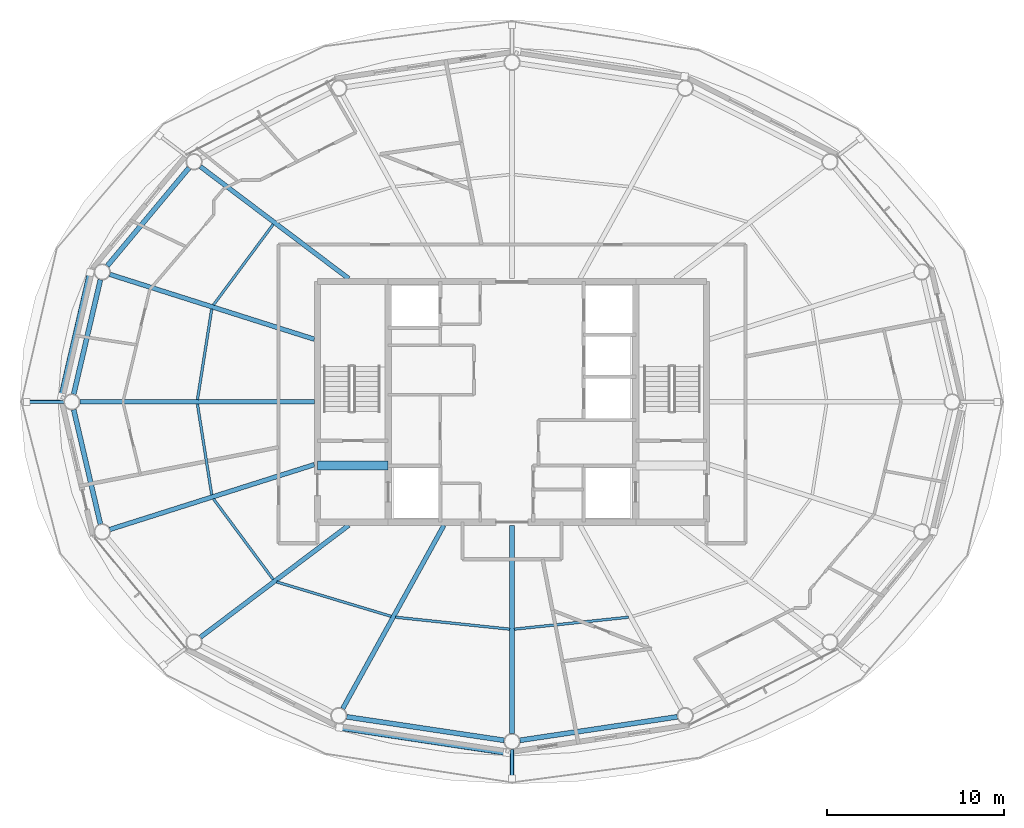
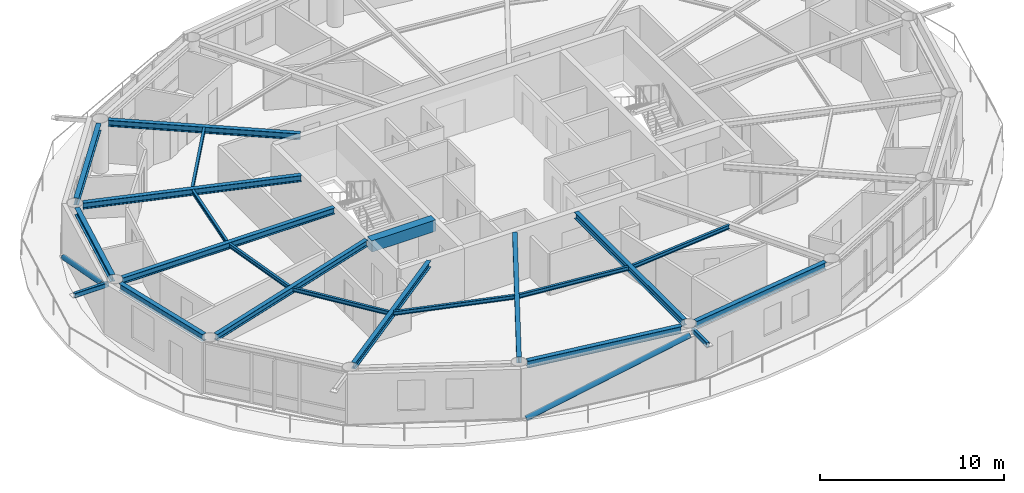
# One storey, part 4 of 21: 20 beams, 4 members.
"""IFC4 building model written with IfcOpenShell, lengths in metres."""

from ifc_helpers import new_model, si_unit, direction, frame, origin, origin_2d, place, context, subcontext, project, spatial, rectangle, hollow_rectangle, hollow_circle, i_section, extrude, material, material_profile, profile_set, type_object, element, save


model = new_model("IFC4")

# Units and contexts
model_context = context("Model", 3, precision=1e-05, world=origin(), true_north=direction((0.0, 1.0)))
body_context = subcontext(model_context, "Body", "Model", "MODEL_VIEW")
ifc_project = project(units=[si_unit("LENGTHUNIT", "METRE"), si_unit("AREAUNIT", "SQUARE_METRE"), si_unit("VOLUMEUNIT", "CUBIC_METRE"), si_unit("PLANEANGLEUNIT", "RADIAN"), si_unit("MASSUNIT", "GRAM", prefix="KILO")], contexts=[model_context])

# Site, building, storey
site_placement = place(None, origin())
site = spatial("IfcSite", under=ifc_project, at=site_placement, CompositionType="ELEMENT")
building_placement = place(site_placement, origin())
building = spatial("IfcBuilding", under=site, at=building_placement, Name="Sarneth Arch Tower", CompositionType="ELEMENT")
storey_placement = place(building_placement, frame((0.0, 0.0, 309.0)))
storey = spatial("IfcBuildingStorey", under=building, at=storey_placement, Name="L80", CompositionType="ELEMENT", Elevation=309.0)

# Beams
ifc_material_1 = material(Name="Steel S355", Category="steel")
ifc_material_profile_1 = material_profile(ifc_material_1, i_section(OverallWidth=0.14794921875, OverallDepth=0.26611328125, WebThickness=0.007568359375, FlangeThickness=0.012939453125, FilletRadius=0.012939453125, at=origin_2d()), Name="W250x44.8")
ifc_profile_set_1 = profile_set([ifc_material_profile_1], Name="Steel S355")
beam_type_1 = type_object("IfcBeamType", Name="BM-JOIST-250", PredefinedType="JOIST", material=ifc_profile_set_1)
beam_1_placement = place(storey_placement, frame((34.4970703125, 52.03564453125, 3.237060546875), z_axis=(-0.595712519616, -0.803197730309, 0.0), x_axis=(0.803197730309, -0.595712519616, 0.0)))
element("IfcBeam", 1, at=beam_1_placement, inside=storey, type_object=beam_type_1, Name="L80 Secondary floor joist 07", PredefinedType="JOIST", context=body_context, shape_type="SweptSolid", body=[
    extrude(i_section(OverallWidth=0.14794921875, OverallDepth=0.26611328125, WebThickness=0.007568359375, FlangeThickness=0.012939453125, FilletRadius=0.012939453125, at=origin_2d()), origin(), (0.0, 0.0, 1.0), 5.669189453125),
])
for number, where, z_axis, x_axis, name in (
    (2, (31.0224609375, 47.249267578125, 3.237060546875), (-0.155556266572, -0.987827033407, 0.0), (0.987827033407, -0.155556266572, 0.0), "L80 Secondary floor joist 08"),
    (3, (30.216064453125, 41.87158203125, 3.237060546875), (0.155556266572, -0.987827033407, 0.0), (0.987827033407, 0.155556266572, 0.0), "L80 Secondary floor joist 09"),
):
    element("IfcBeam", number, at=place(storey_placement, frame(where, z_axis=z_axis, x_axis=x_axis)), inside=storey, type_object=beam_type_1, Name=name, PredefinedType="JOIST", context=body_context, shape_type="SweptSolid", body=[
        extrude(i_section(OverallWidth=0.14794921875, OverallDepth=0.26611328125, WebThickness=0.007568359375, FlangeThickness=0.012939453125, FilletRadius=0.012939453125, at=origin_2d()), origin(), (0.0, 0.0, 1.0), 5.183837890625),
    ])
beam_2_placement = place(storey_placement, frame((31.119873046875, 36.517822265625, 3.237060546875), z_axis=(0.595712519616, -0.803197730309, 0.0), x_axis=(0.803197730309, 0.595712519616, 0.0)))
element("IfcBeam", 4, at=beam_2_placement, inside=storey, type_object=beam_type_1, Name="L80 Secondary floor joist 10", PredefinedType="JOIST", context=body_context, shape_type="SweptSolid", body=[
    extrude(i_section(OverallWidth=0.14794921875, OverallDepth=0.26611328125, WebThickness=0.007568359375, FlangeThickness=0.012939453125, FilletRadius=0.012939453125, at=origin_2d()), origin(), (0.0, 0.0, 1.0), 5.669189453125),
])
beam_3_placement = place(storey_placement, frame((34.698974609375, 31.822509765625, 3.237060546875), z_axis=(0.95760703602, -0.288077705776, 0.0), x_axis=(0.288077705776, 0.95760703602, 0.0)))
element("IfcBeam", 5, at=beam_3_placement, inside=storey, type_object=beam_type_1, Name="L80 Secondary floor joist 11", PredefinedType="JOIST", context=body_context, shape_type="SweptSolid", body=[
    extrude(i_section(OverallWidth=0.14794921875, OverallDepth=0.26611328125, WebThickness=0.007568359375, FlangeThickness=0.012939453125, FilletRadius=0.012939453125, at=origin_2d()), origin(), (0.0, 0.0, 1.0), 6.7509765625),
])
for number, where, z_axis, x_axis, name in (
    (6, (41.417724609375, 29.82666015625, 3.237060546875), (0.994564879221, -0.104118687178, 0.0), (0.104118687178, 0.994564879221, 0.0), "L80 Secondary floor joist 12"),
    (7, (48.12939453125, 29.151123046875, 3.237060546875), (0.994564879221, 0.104118687178, 0.0), (-0.104118687178, 0.994564879221, 0.0), "L80 Secondary floor joist 13"),
):
    element("IfcBeam", number, at=place(storey_placement, frame(where, z_axis=z_axis, x_axis=x_axis)), inside=storey, type_object=beam_type_1, Name=name, PredefinedType="JOIST", context=body_context, shape_type="SweptSolid", body=[
        extrude(i_section(OverallWidth=0.14794921875, OverallDepth=0.26611328125, WebThickness=0.007568359375, FlangeThickness=0.012939453125, FilletRadius=0.012939453125, at=origin_2d()), origin(), (0.0, 0.0, 1.0), 6.488037109375),
    ])
ifc_material_2 = material(Name="Concrete C50/60", Category="concrete")
ifc_material_profile_2 = material_profile(ifc_material_2, rectangle(XDim=0.5, YDim=0.75, at=origin_2d()), Name="RC-500x750")
ifc_profile_set_2 = profile_set([ifc_material_profile_2], Name="Concrete C50/60")
beam_type_2 = type_object("IfcBeamType", Name="BM-LINTEL-RC", PredefinedType="LINTEL", material=ifc_profile_set_2)
beam_4_placement = place(storey_placement, frame((37.0, 38.39990234375, 2.9951171875), z_axis=(1.0, 0.0, 0.0), x_axis=(0.0, 1.0, 0.0)))
element("IfcBeam", 8, at=beam_4_placement, inside=storey, type_object=beam_type_2, Name="L80 Core coupling lintel W", PredefinedType="LINTEL", context=body_context, shape_type="SweptSolid", body=[
    extrude(rectangle(XDim=0.5, YDim=0.75, at=origin_2d()), origin(), (0.0, 0.0, 1.0), 4.0),
])
ifc_material_3 = material(Name="Steel S355", Category="steel")
ifc_material_profile_3 = material_profile(ifc_material_3, i_section(OverallWidth=0.260009765625, OverallDepth=0.4150390625, WebThickness=0.010009765625, FlangeThickness=0.016845703125, FilletRadius=0.01611328125, at=origin_2d()), Name="W410x100")
ifc_profile_set_3 = profile_set([ifc_material_profile_3], Name="Steel S355")
beam_type_3 = type_object("IfcBeamType", Name="BM-RAD-410A", PredefinedType="BEAM", material=ifc_profile_set_3)
beam_5_placement = place(storey_placement, frame((38.76513671875, 48.97509765625, 3.16259765625), z_axis=(-0.797981595352, 0.602681817777, 0.0), x_axis=(-0.602681817777, -0.797981595352, 0.0)))
element("IfcBeam", 9, at=beam_5_placement, inside=storey, type_object=beam_type_3, Name="L80 Radial floor girder 07", PredefinedType="BEAM", context=body_context, shape_type="SweptSolid", body=[
    extrude(i_section(OverallWidth=0.260009765625, OverallDepth=0.4150390625, WebThickness=0.010009765625, FlangeThickness=0.016845703125, FilletRadius=0.01611328125, at=origin_2d()), origin(), (0.0, 0.0, 1.0), 10.503173828125),
])
beam_6_placement = place(storey_placement, frame((36.824951171875, 45.5439453125, 3.16259765625), z_axis=(-0.95321762769, 0.302284889237, 0.0), x_axis=(-0.302284889237, -0.95321762769, 0.0)))
element("IfcBeam", 10, at=beam_6_placement, inside=storey, type_object=beam_type_3, Name="L80 Radial floor girder 08", PredefinedType="BEAM", context=body_context, shape_type="SweptSolid", body=[
    extrude(i_section(OverallWidth=0.260009765625, OverallDepth=0.4150390625, WebThickness=0.010009765625, FlangeThickness=0.016845703125, FilletRadius=0.01611328125, at=origin_2d()), origin(), (0.0, 0.0, 1.0), 12.132568359375),
])
beam_7_placement = place(storey_placement, frame((36.824951171875, 42.0, 3.16259765625), z_axis=(-1.0, 0.0, 0.0), x_axis=(0.0, -1.0, 0.0)))
element("IfcBeam", 11, at=beam_7_placement, inside=storey, type_object=beam_type_3, Name="L80 Radial floor girder 09", PredefinedType="BEAM", context=body_context, shape_type="SweptSolid", body=[
    extrude(i_section(OverallWidth=0.260009765625, OverallDepth=0.4150390625, WebThickness=0.010009765625, FlangeThickness=0.016845703125, FilletRadius=0.01611328125, at=origin_2d()), origin(), (0.0, 0.0, 1.0), 13.258056640625),
])
beam_8_placement = place(storey_placement, frame((36.824951171875, 38.4560546875, 3.16259765625), z_axis=(-0.95321762769, -0.302284889237, 0.0), x_axis=(0.302284889237, -0.95321762769, 0.0)))
element("IfcBeam", 12, at=beam_8_placement, inside=storey, type_object=beam_type_3, Name="L80 Radial floor girder 10", PredefinedType="BEAM", context=body_context, shape_type="SweptSolid", body=[
    extrude(i_section(OverallWidth=0.260009765625, OverallDepth=0.4150390625, WebThickness=0.010009765625, FlangeThickness=0.016845703125, FilletRadius=0.01611328125, at=origin_2d()), origin(), (0.0, 0.0, 1.0), 12.132568359375),
])
beam_9_placement = place(storey_placement, frame((38.76513671875, 35.02490234375, 3.16259765625), z_axis=(-0.797981595352, -0.602681817777, 0.0), x_axis=(0.602681817777, -0.797981595352, 0.0)))
element("IfcBeam", 13, at=beam_9_placement, inside=storey, type_object=beam_type_3, Name="L80 Radial floor girder 11", PredefinedType="BEAM", context=body_context, shape_type="SweptSolid", body=[
    extrude(i_section(OverallWidth=0.260009765625, OverallDepth=0.4150390625, WebThickness=0.010009765625, FlangeThickness=0.016845703125, FilletRadius=0.01611328125, at=origin_2d()), origin(), (0.0, 0.0, 1.0), 10.503173828125),
])
beam_10_placement = place(storey_placement, frame((44.150146484375, 35.02490234375, 3.16259765625), z_axis=(-0.483229367873, -0.875493790969, 0.0), x_axis=(0.875493790969, -0.483229367873, 0.0)))
element("IfcBeam", 14, at=beam_10_placement, inside=storey, type_object=beam_type_3, Name="L80 Radial floor girder 12", PredefinedType="BEAM", context=body_context, shape_type="SweptSolid", body=[
    extrude(i_section(OverallWidth=0.260009765625, OverallDepth=0.4150390625, WebThickness=0.010009765625, FlangeThickness=0.016845703125, FilletRadius=0.01611328125, at=origin_2d()), origin(), (0.0, 0.0, 1.0), 11.843994140625),
])
beam_11_placement = place(storey_placement, frame((48.0, 35.02490234375, 3.16259765625), z_axis=(0.0, -1.0, 0.0), x_axis=(1.0, 0.0, 0.0)))
element("IfcBeam", 15, at=beam_11_placement, inside=storey, type_object=beam_type_3, Name="L80 Radial floor girder 13", PredefinedType="BEAM", context=body_context, shape_type="SweptSolid", body=[
    extrude(i_section(OverallWidth=0.260009765625, OverallDepth=0.4150390625, WebThickness=0.010009765625, FlangeThickness=0.016845703125, FilletRadius=0.01611328125, at=origin_2d()), origin(), (0.0, 0.0, 1.0), 11.77490234375),
])
ifc_material_4 = material(Name="Steel S355", Category="steel")
ifc_material_profile_4 = material_profile(ifc_material_4, i_section(OverallWidth=0.280029296875, OverallDepth=0.462890625, WebThickness=0.0107421875, FlangeThickness=0.017333984375, FilletRadius=0.01806640625, at=origin_2d()), Name="W460x113")
ifc_profile_set_4 = profile_set([ifc_material_profile_4], Name="Steel S355")
beam_type_4 = type_object("IfcBeamType", Name="BM-RAD-460A", PredefinedType="BEAM", material=ifc_profile_set_4)
beam_12_placement = place(storey_placement, frame((29.736572265625, 55.230712890625, 3.138427734375), z_axis=(-0.640390876881, -0.768049168222, 0.0), x_axis=(0.768049168222, -0.640390876881, 0.0)))
element("IfcBeam", 16, at=beam_12_placement, inside=storey, type_object=beam_type_4, Name="L80 Perimeter spandrel beam 07", PredefinedType="BEAM", context=body_context, shape_type="SweptSolid", body=[
    extrude(i_section(OverallWidth=0.280029296875, OverallDepth=0.462890625, WebThickness=0.0107421875, FlangeThickness=0.017333984375, FilletRadius=0.01806640625, at=origin_2d()), origin(), (0.0, 0.0, 1.0), 7.2099609375),
])
for number, where, z_axis, x_axis, name in (
    (17, (24.72900390625, 48.9091796875, 3.138427734375), (-0.227247037844, -0.973837144389, 0.0), (0.973837144389, -0.227247037844, 0.0), "L80 Perimeter spandrel beam 08"),
    (18, (23.218994140625, 41.561767578125, 3.138427734375), (0.227247037844, -0.973837144389, 0.0), (0.973837144389, 0.227247037844, 0.0), "L80 Perimeter spandrel beam 09"),
):
    element("IfcBeam", number, at=place(storey_placement, frame(where, z_axis=z_axis, x_axis=x_axis)), inside=storey, type_object=beam_type_4, Name=name, PredefinedType="BEAM", context=body_context, shape_type="SweptSolid", body=[
        extrude(i_section(OverallWidth=0.280029296875, OverallDepth=0.462890625, WebThickness=0.0107421875, FlangeThickness=0.017333984375, FilletRadius=0.01806640625, at=origin_2d()), origin(), (0.0, 0.0, 1.0), 6.644775390625),
    ])
for number, where, z_axis, x_axis, name in (
    (19, (38.654296875, 24.195068359375, 3.138427734375), (0.989041765772, -0.147635990052, 0.0), (0.147635990052, 0.989041765772, 0.0), "L80 Perimeter spandrel beam 12"),
    (20, (48.445068359375, 22.866455078125, 3.138427734375), (0.989041765772, 0.147635990052, 0.0), (-0.147635990052, 0.989041765772, 0.0), "L80 Perimeter spandrel beam 13"),
):
    element("IfcBeam", number, at=place(storey_placement, frame(where, z_axis=z_axis, x_axis=x_axis)), inside=storey, type_object=beam_type_4, Name=name, PredefinedType="BEAM", context=body_context, shape_type="SweptSolid", body=[
        extrude(i_section(OverallWidth=0.280029296875, OverallDepth=0.462890625, WebThickness=0.0107421875, FlangeThickness=0.017333984375, FilletRadius=0.01806640625, at=origin_2d()), origin(), (0.0, 0.0, 1.0), 8.999267578125),
    ])

# Members
ifc_material_5 = material(Name="Steel S355", Category="steel")
ifc_material_profile_5 = material_profile(ifc_material_5, hollow_rectangle(XDim=0.199951171875, YDim=0.300048828125, WallThickness=0.012451171875, InnerFilletRadius=0.018798828125, OuterFilletRadius=0.03125, at=origin_2d()), Name="RHS300x200x12.5")
ifc_profile_set_5 = profile_set([ifc_material_profile_5], Name="Steel S355")
member_type_1 = type_object("IfcMemberType", Name="MEM-CANT-STRUT", PredefinedType="STRUT", material=ifc_profile_set_5)
member_1_placement = place(storey_placement, frame((22.666748046875, 42.0, 3.2099609375), z_axis=(-1.0, 0.0, 0.0), x_axis=(0.0, -1.0, 0.0)))
element("IfcMember", 21, at=member_1_placement, inside=storey, type_object=member_type_1, Name="L80 Balcony cantilever bracket 09", PredefinedType="STRUT", context=body_context, shape_type="SweptSolid", body=[
    extrude(hollow_rectangle(XDim=0.199951171875, YDim=0.300048828125, WallThickness=0.012451171875, InnerFilletRadius=0.018798828125, OuterFilletRadius=0.03125, at=origin_2d()), origin(), (0.0, 0.0, 1.0), 2.108154296875),
])
member_2_placement = place(storey_placement, frame((48.0, 22.35009765625, 3.2099609375), z_axis=(0.0, -1.0, 0.0), x_axis=(1.0, 0.0, 0.0)))
element("IfcMember", 22, at=member_2_placement, inside=storey, type_object=member_type_1, Name="L80 Balcony cantilever bracket 13", PredefinedType="STRUT", context=body_context, shape_type="SweptSolid", body=[
    extrude(hollow_rectangle(XDim=0.199951171875, YDim=0.300048828125, WallThickness=0.012451171875, InnerFilletRadius=0.018798828125, OuterFilletRadius=0.03125, at=origin_2d()), origin(), (0.0, 0.0, 1.0), 1.641845703125),
])
ifc_material_6 = material(Name="Steel S355", Category="steel")
ifc_material_profile_6 = material_profile(ifc_material_6, hollow_circle(Radius=0.162109375, WallThickness=0.012451171875, at=origin_2d()), Name="CHS324x12.5")
ifc_profile_set_6 = profile_set([ifc_material_profile_6], Name="Steel S355")
member_type_2 = type_object("IfcMemberType", Name="MEM-DIAG-BR3", PredefinedType="BRACE", material=ifc_profile_set_6)
member_3_placement = place(storey_placement, frame((24.148193359375, 49.3154296875, 0.02001953125), z_axis=(-0.207343373373, -0.896265487877, 0.392067469651), x_axis=(0.974268900284, -0.225388797281, 0.0)))
element("IfcMember", 23, at=member_3_placement, inside=storey, type_object=member_type_2, Name="L80 Perimeter frame diagonal 08", PredefinedType="BRACE", context=body_context, shape_type="SweptSolid", body=[
    extrude(hollow_circle(Radius=0.162109375, WallThickness=0.012451171875, at=origin_2d()), origin(), (0.0, 0.0, 1.0), 7.836181640625),
])
member_4_placement = place(storey_placement, frame((38.245849609375, 23.588623046875, 0.02001953125), z_axis=(0.941471055877, -0.141762627625, 0.305835917372), x_axis=(0.148897148305, 0.988852688335, 0.0)))
element("IfcMember", 24, at=member_4_placement, inside=storey, type_object=member_type_2, Name="L80 Perimeter frame diagonal 12", PredefinedType="BRACE", context=body_context, shape_type="SweptSolid", body=[
    extrude(hollow_circle(Radius=0.162109375, WallThickness=0.012451171875, at=origin_2d()), origin(), (0.0, 0.0, 1.0), 10.04541015625),
])

save(model, "model.ifc")
